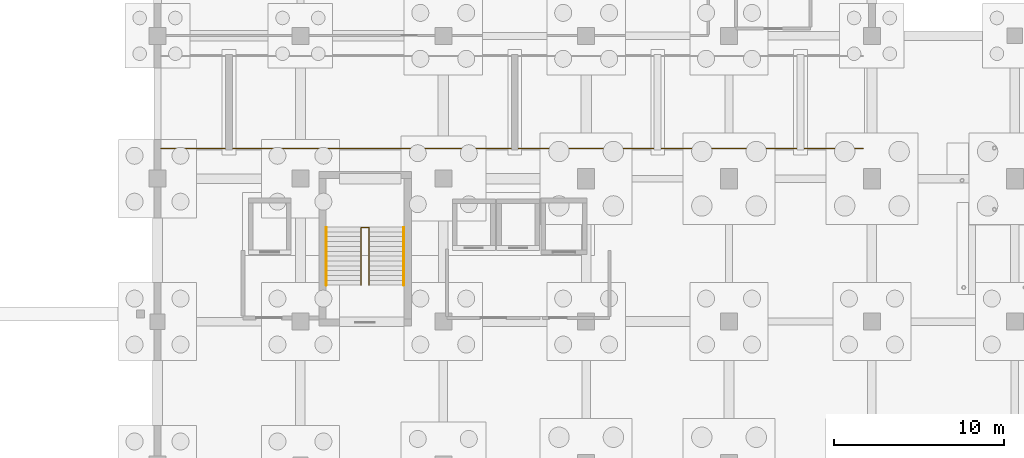
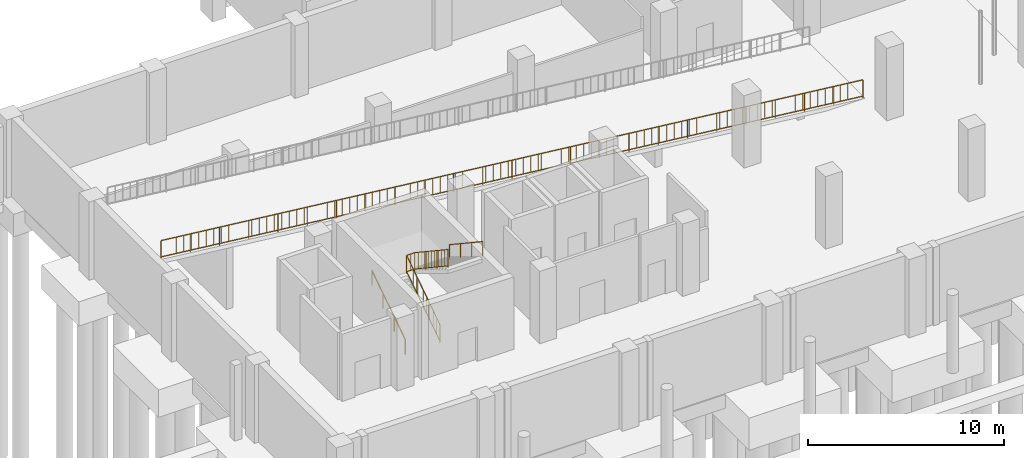
# One storey, part 37 of 39: 4 railings.
"""IFC4 building model written with IfcOpenShell, lengths in metres."""

from ifc_helpers import new_model, si_unit, derived_unit, direction, frame, origin, origin_2d, place, context, subcontext, project, spatial, circle, extrude, material, layer, layer_set, type_object, element, save


model = new_model("IFC4")

# Units and contexts
model_context = context("Model", 3, precision=1e-05, world=origin(), true_north=direction((0.0, 1.0)))
body_context = subcontext(model_context, "Body", "Model", "MODEL_VIEW")
ifc_project = project(units=[si_unit("LENGTHUNIT", "METRE"), si_unit("AREAUNIT", "SQUARE_METRE"), si_unit("VOLUMEUNIT", "CUBIC_METRE"), si_unit("PLANEANGLEUNIT", "RADIAN"), si_unit("MASSUNIT", "GRAM", prefix="KILO"), derived_unit("THERMALTRANSMITTANCEUNIT", [(si_unit("POWERUNIT", "WATT"), 1), (si_unit("LENGTHUNIT", "METRE"), -2), (si_unit("THERMODYNAMICTEMPERATUREUNIT", "KELVIN"), -1)])], contexts=[model_context])

# Site, building, storey
site_placement = place(None, origin())
site = spatial("IfcSite", under=ifc_project, at=site_placement, CompositionType="ELEMENT")
building_placement = place(site_placement, origin())
building = spatial("IfcBuilding", under=site, at=building_placement, Name="Barrovel Congress Hotel", CompositionType="ELEMENT")
storey_placement = place(building_placement, frame((0.0, 0.0, -4.5)))
storey = spatial("IfcBuildingStorey", under=building, at=storey_placement, Name="B01", CompositionType="ELEMENT", Elevation=-4.5)

# Railings
ifc_material_1 = material(Name="Painted Architectural Steel", Category="steel")
ifc_layer_1 = layer(ifc_material_1, 0.070068359375)
ifc_layer_set_1 = layer_set([ifc_layer_1], Name="Painted Architectural Steel")
railing_type_1 = type_object("IfcRailingType", Name="RAIL-GUARD-INT", PredefinedType="BALUSTRADE", material=ifc_layer_set_1)
railing_1_placement = place(storey_placement, frame((28.760009765625, 14.739990234375, 0.0)))
element("IfcRailing", 1, at=railing_1_placement, inside=storey, type_object=railing_type_1, Name="STAIR:XS-01:B01:GR-W", PredefinedType="BALUSTRADE", context=body_context, shape_type="SweptSolid", body=[
    extrude(circle(Radius=0.02392578125, at=origin_2d()), frame((0.0, 0.0, 1.11572265625), z_axis=(0.0, 0.833174834292, 0.553009670352), x_axis=(-1.0, 0.0, 0.0)), (0.0, 0.0, 1.0), 4.068603515625),
    extrude(circle(Radius=0.02392578125, at=origin_2d()), frame((0.0, 0.0, 0.10009765625), z_axis=(0.0, 0.833174834292, 0.553009670352), x_axis=(-1.0, 0.0, 0.0)), (0.0, 0.0, 1.0), 4.068603515625),
    extrude(circle(Radius=0.010009765625, at=origin_2d()), frame((0.0, 0.3388671875, 0.324951171875)), (0.0, 0.0, 1.0), 0.99169921875),
    extrude(circle(Radius=0.010009765625, at=origin_2d()), frame((0.0, 0.677978515625, 0.550048828125)), (0.0, 0.0, 1.0), 0.99169921875),
    extrude(circle(Radius=0.010009765625, at=origin_2d()), frame((0.0, 1.01708984375, 0.77490234375)), (0.0, 0.0, 1.0), 0.99169921875),
    extrude(circle(Radius=0.010009765625, at=origin_2d()), frame((0.0, 1.35595703125, 1.0)), (0.0, 0.0, 1.0), 0.99169921875),
    extrude(circle(Radius=0.010009765625, at=origin_2d()), frame((0.0, 1.69482421875, 1.22509765625)), (0.0, 0.0, 1.0), 0.99169921875),
    extrude(circle(Radius=0.010009765625, at=origin_2d()), frame((0.0, 2.033935546875, 1.449951171875)), (0.0, 0.0, 1.0), 0.99169921875),
    extrude(circle(Radius=0.010009765625, at=origin_2d()), frame((0.0, 2.373046875, 1.675048828125)), (0.0, 0.0, 1.0), 0.99169921875),
    extrude(circle(Radius=0.010009765625, at=origin_2d()), frame((0.0, 2.7119140625, 1.89990234375)), (0.0, 0.0, 1.0), 0.99169921875),
    extrude(circle(Radius=0.010009765625, at=origin_2d()), frame((0.0, 3.05078125, 2.125)), (0.0, 0.0, 1.0), 0.99169921875),
    extrude(circle(Radius=0.02392578125, at=origin_2d()), frame((0.0, 3.389892578125, 3.36572265625), z_axis=(1.0, 0.0, 0.0), x_axis=(0.0, 1.0, 0.0)), (0.0, 0.0, 1.0), 0.47998046875),
    extrude(circle(Radius=0.02392578125, at=origin_2d()), frame((0.0, 3.389892578125, 2.35009765625), z_axis=(1.0, 0.0, 0.0), x_axis=(0.0, 1.0, 0.0)), (0.0, 0.0, 1.0), 0.47998046875),
    extrude(circle(Radius=0.010009765625, at=origin_2d()), frame((0.239990234375, 3.389892578125, 2.35009765625)), (0.0, 0.0, 1.0), 0.99169921875),
    extrude(circle(Radius=0.02392578125, at=origin_2d()), frame((0.47998046875, 3.389892578125, 3.36572265625), z_axis=(0.0, -0.833174834292, 0.553009670352), x_axis=(1.0, 0.0, 0.0)), (0.0, 0.0, 1.0), 4.068603515625),
    extrude(circle(Radius=0.02392578125, at=origin_2d()), frame((0.47998046875, 3.389892578125, 2.35009765625), z_axis=(0.0, -0.833174834292, 0.553009670352), x_axis=(1.0, 0.0, 0.0)), (0.0, 0.0, 1.0), 4.068603515625),
    extrude(circle(Radius=0.010009765625, at=origin_2d()), frame((0.47998046875, 3.05078125, 2.574951171875)), (0.0, 0.0, 1.0), 0.99169921875),
    extrude(circle(Radius=0.010009765625, at=origin_2d()), frame((0.47998046875, 2.7119140625, 2.800048828125)), (0.0, 0.0, 1.0), 0.99169921875),
    extrude(circle(Radius=0.010009765625, at=origin_2d()), frame((0.47998046875, 2.373046875, 3.02490234375)), (0.0, 0.0, 1.0), 0.99169921875),
    extrude(circle(Radius=0.010009765625, at=origin_2d()), frame((0.47998046875, 2.033935546875, 3.25)), (0.0, 0.0, 1.0), 0.99169921875),
    extrude(circle(Radius=0.010009765625, at=origin_2d()), frame((0.47998046875, 1.69482421875, 3.47509765625)), (0.0, 0.0, 1.0), 0.99169921875),
    extrude(circle(Radius=0.010009765625, at=origin_2d()), frame((0.47998046875, 1.35595703125, 3.699951171875)), (0.0, 0.0, 1.0), 0.99169921875),
    extrude(circle(Radius=0.010009765625, at=origin_2d()), frame((0.47998046875, 1.01708984375, 3.925048828125)), (0.0, 0.0, 1.0), 0.99169921875),
    extrude(circle(Radius=0.010009765625, at=origin_2d()), frame((0.47998046875, 0.677978515625, 4.14990234375)), (0.0, 0.0, 1.0), 0.99169921875),
    extrude(circle(Radius=0.010009765625, at=origin_2d()), frame((0.47998046875, 0.3388671875, 4.375)), (0.0, 0.0, 1.0), 0.99169921875),
    extrude(circle(Radius=0.02099609375, at=origin_2d()), origin(), (0.0, 0.0, 1.0), 1.091796875),
    extrude(circle(Radius=0.02099609375, at=origin_2d()), frame((0.0, 1.1298828125, 0.75)), (0.0, 0.0, 1.0), 1.091796875),
    extrude(circle(Radius=0.02099609375, at=origin_2d()), frame((0.0, 2.260009765625, 1.5)), (0.0, 0.0, 1.0), 1.091796875),
    extrude(circle(Radius=0.02099609375, at=origin_2d()), frame((0.0, 3.389892578125, 2.25)), (0.0, 0.0, 1.0), 1.091796875),
    extrude(circle(Radius=0.02099609375, at=origin_2d()), frame((0.47998046875, 3.389892578125, 2.25)), (0.0, 0.0, 1.0), 1.091796875),
    extrude(circle(Radius=0.02099609375, at=origin_2d()), frame((0.47998046875, 2.260009765625, 3.0)), (0.0, 0.0, 1.0), 1.091796875),
    extrude(circle(Radius=0.02099609375, at=origin_2d()), frame((0.47998046875, 1.1298828125, 3.75)), (0.0, 0.0, 1.0), 1.091796875),
    extrude(circle(Radius=0.02099609375, at=origin_2d()), frame((0.47998046875, 0.0, 4.5)), (0.0, 0.0, 1.0), 1.091796875),
])
railing_2_placement = place(storey_placement, frame((58.280029296875, 22.780029296875, 0.007568359375)))
element("IfcRailing", 2, at=railing_2_placement, inside=storey, type_object=railing_type_1, Name="RAIL:B01:R01-S", PredefinedType="BALUSTRADE", context=body_context, shape_type="SweptSolid", body=[
    extrude(circle(Radius=0.02392578125, at=origin_2d()), frame((0.0, 0.0, 1.11572265625), z_axis=(-0.994227917006, 0.0, 0.107288624958), x_axis=(0.0, -1.0, 0.0)), (0.0, 0.0, 1.0), 41.519775390625),
    extrude(circle(Radius=0.02392578125, at=origin_2d()), frame((0.0, 0.0, 0.10009765625), z_axis=(-0.994227917006, 0.0, 0.107288624958), x_axis=(0.0, -1.0, 0.0)), (0.0, 0.0, 1.0), 41.519775390625),
    extrude(circle(Radius=0.010009765625, at=origin_2d()), frame((-0.44384765625, 0.0, 0.14794921875)), (0.0, 0.0, 1.0), 0.99169921875),
    extrude(circle(Radius=0.010009765625, at=origin_2d()), frame((-0.8876953125, 0.0, 0.19580078125)), (0.0, 0.0, 1.0), 0.99169921875),
    extrude(circle(Radius=0.010009765625, at=origin_2d()), frame((-1.33154296875, 0.0, 0.24365234375)), (0.0, 0.0, 1.0), 0.99169921875),
    extrude(circle(Radius=0.010009765625, at=origin_2d()), frame((-1.775390625, 0.0, 0.29150390625)), (0.0, 0.0, 1.0), 0.99169921875),
    extrude(circle(Radius=0.010009765625, at=origin_2d()), frame((-2.21923828125, 0.0, 0.339599609375)), (0.0, 0.0, 1.0), 0.99169921875),
    extrude(circle(Radius=0.010009765625, at=origin_2d()), frame((-2.663330078125, 0.0, 0.387451171875)), (0.0, 0.0, 1.0), 0.99169921875),
    extrude(circle(Radius=0.010009765625, at=origin_2d()), frame((-3.107177734375, 0.0, 0.435302734375)), (0.0, 0.0, 1.0), 0.99169921875),
    extrude(circle(Radius=0.010009765625, at=origin_2d()), frame((-3.551025390625, 0.0, 0.483154296875)), (0.0, 0.0, 1.0), 0.99169921875),
    extrude(circle(Radius=0.010009765625, at=origin_2d()), frame((-3.994873046875, 0.0, 0.531005859375)), (0.0, 0.0, 1.0), 0.99169921875),
    extrude(circle(Radius=0.010009765625, at=origin_2d()), frame((-4.438720703125, 0.0, 0.5791015625)), (0.0, 0.0, 1.0), 0.99169921875),
    extrude(circle(Radius=0.010009765625, at=origin_2d()), frame((-4.882568359375, 0.0, 0.626953125)), (0.0, 0.0, 1.0), 0.99169921875),
    extrude(circle(Radius=0.010009765625, at=origin_2d()), frame((-5.326416015625, 0.0, 0.6748046875)), (0.0, 0.0, 1.0), 0.99169921875),
    extrude(circle(Radius=0.010009765625, at=origin_2d()), frame((-5.770263671875, 0.0, 0.72265625)), (0.0, 0.0, 1.0), 0.99169921875),
    extrude(circle(Radius=0.010009765625, at=origin_2d()), frame((-6.214111328125, 0.0, 0.7705078125)), (0.0, 0.0, 1.0), 0.99169921875),
    extrude(circle(Radius=0.010009765625, at=origin_2d()), frame((-6.657958984375, 0.0, 0.818603515625)), (0.0, 0.0, 1.0), 0.99169921875),
    extrude(circle(Radius=0.010009765625, at=origin_2d()), frame((-7.10205078125, 0.0, 0.866455078125)), (0.0, 0.0, 1.0), 0.99169921875),
    extrude(circle(Radius=0.010009765625, at=origin_2d()), frame((-7.5458984375, 0.0, 0.914306640625)), (0.0, 0.0, 1.0), 0.99169921875),
    extrude(circle(Radius=0.010009765625, at=origin_2d()), frame((-7.98974609375, 0.0, 0.962158203125)), (0.0, 0.0, 1.0), 0.99169921875),
    extrude(circle(Radius=0.010009765625, at=origin_2d()), frame((-8.43359375, 0.0, 1.010009765625)), (0.0, 0.0, 1.0), 0.99169921875),
    extrude(circle(Radius=0.010009765625, at=origin_2d()), frame((-8.87744140625, 0.0, 1.057861328125)), (0.0, 0.0, 1.0), 0.99169921875),
    extrude(circle(Radius=0.010009765625, at=origin_2d()), frame((-9.3212890625, 0.0, 1.10595703125)), (0.0, 0.0, 1.0), 0.99169921875),
    extrude(circle(Radius=0.010009765625, at=origin_2d()), frame((-9.76513671875, 0.0, 1.15380859375)), (0.0, 0.0, 1.0), 0.99169921875),
    extrude(circle(Radius=0.010009765625, at=origin_2d()), frame((-10.208984375, 0.0, 1.20166015625)), (0.0, 0.0, 1.0), 0.99169921875),
    extrude(circle(Radius=0.010009765625, at=origin_2d()), frame((-10.65283203125, 0.0, 1.24951171875)), (0.0, 0.0, 1.0), 0.99169921875),
    extrude(circle(Radius=0.010009765625, at=origin_2d()), frame((-11.0966796875, 0.0, 1.29736328125)), (0.0, 0.0, 1.0), 0.99169921875),
    extrude(circle(Radius=0.010009765625, at=origin_2d()), frame((-11.540771484375, 0.0, 1.345458984375)), (0.0, 0.0, 1.0), 0.99169921875),
    extrude(circle(Radius=0.010009765625, at=origin_2d()), frame((-11.984619140625, 0.0, 1.393310546875)), (0.0, 0.0, 1.0), 0.99169921875),
    extrude(circle(Radius=0.010009765625, at=origin_2d()), frame((-12.428466796875, 0.0, 1.441162109375)), (0.0, 0.0, 1.0), 0.99169921875),
    extrude(circle(Radius=0.010009765625, at=origin_2d()), frame((-12.872314453125, 0.0, 1.489013671875)), (0.0, 0.0, 1.0), 0.99169921875),
    extrude(circle(Radius=0.010009765625, at=origin_2d()), frame((-13.316162109375, 0.0, 1.536865234375)), (0.0, 0.0, 1.0), 0.99169921875),
    extrude(circle(Radius=0.010009765625, at=origin_2d()), frame((-13.760009765625, 0.0, 1.5849609375)), (0.0, 0.0, 1.0), 0.99169921875),
    extrude(circle(Radius=0.010009765625, at=origin_2d()), frame((-14.203857421875, 0.0, 1.6328125)), (0.0, 0.0, 1.0), 0.99169921875),
    extrude(circle(Radius=0.010009765625, at=origin_2d()), frame((-14.647705078125, 0.0, 1.6806640625)), (0.0, 0.0, 1.0), 0.99169921875),
    extrude(circle(Radius=0.010009765625, at=origin_2d()), frame((-15.091552734375, 0.0, 1.728515625)), (0.0, 0.0, 1.0), 0.99169921875),
    extrude(circle(Radius=0.010009765625, at=origin_2d()), frame((-15.535400390625, 0.0, 1.7763671875)), (0.0, 0.0, 1.0), 0.99169921875),
    extrude(circle(Radius=0.010009765625, at=origin_2d()), frame((-15.979248046875, 0.0, 1.824462890625)), (0.0, 0.0, 1.0), 0.99169921875),
    extrude(circle(Radius=0.010009765625, at=origin_2d()), frame((-16.42333984375, 0.0, 1.872314453125)), (0.0, 0.0, 1.0), 0.99169921875),
    extrude(circle(Radius=0.010009765625, at=origin_2d()), frame((-16.8671875, 0.0, 1.920166015625)), (0.0, 0.0, 1.0), 0.99169921875),
    extrude(circle(Radius=0.010009765625, at=origin_2d()), frame((-17.31103515625, 0.0, 1.968017578125)), (0.0, 0.0, 1.0), 0.99169921875),
    extrude(circle(Radius=0.010009765625, at=origin_2d()), frame((-17.7548828125, 0.0, 2.015869140625)), (0.0, 0.0, 1.0), 0.99169921875),
    extrude(circle(Radius=0.010009765625, at=origin_2d()), frame((-18.19873046875, 0.0, 2.06396484375)), (0.0, 0.0, 1.0), 0.99169921875),
    extrude(circle(Radius=0.010009765625, at=origin_2d()), frame((-18.642578125, 0.0, 2.11181640625)), (0.0, 0.0, 1.0), 0.99169921875),
    extrude(circle(Radius=0.010009765625, at=origin_2d()), frame((-19.08642578125, 0.0, 2.15966796875)), (0.0, 0.0, 1.0), 0.99169921875),
    extrude(circle(Radius=0.010009765625, at=origin_2d()), frame((-19.5302734375, 0.0, 2.20751953125)), (0.0, 0.0, 1.0), 0.99169921875),
    extrude(circle(Radius=0.010009765625, at=origin_2d()), frame((-19.97412109375, 0.0, 2.25537109375)), (0.0, 0.0, 1.0), 0.99169921875),
    extrude(circle(Radius=0.010009765625, at=origin_2d()), frame((-20.41796875, 0.0, 2.303466796875)), (0.0, 0.0, 1.0), 0.99169921875),
    extrude(circle(Radius=0.010009765625, at=origin_2d()), frame((-20.862060546875, 0.0, 2.351318359375)), (0.0, 0.0, 1.0), 0.99169921875),
    extrude(circle(Radius=0.010009765625, at=origin_2d()), frame((-21.305908203125, 0.0, 2.399169921875)), (0.0, 0.0, 1.0), 0.99169921875),
    extrude(circle(Radius=0.010009765625, at=origin_2d()), frame((-21.749755859375, 0.0, 2.447021484375)), (0.0, 0.0, 1.0), 0.99169921875),
    extrude(circle(Radius=0.010009765625, at=origin_2d()), frame((-22.193603515625, 0.0, 2.494873046875)), (0.0, 0.0, 1.0), 0.99169921875),
    extrude(circle(Radius=0.010009765625, at=origin_2d()), frame((-22.637451171875, 0.0, 2.542724609375)), (0.0, 0.0, 1.0), 0.99169921875),
    extrude(circle(Radius=0.010009765625, at=origin_2d()), frame((-23.081298828125, 0.0, 2.5908203125)), (0.0, 0.0, 1.0), 0.99169921875),
    extrude(circle(Radius=0.010009765625, at=origin_2d()), frame((-23.525146484375, 0.0, 2.638671875)), (0.0, 0.0, 1.0), 0.99169921875),
    extrude(circle(Radius=0.010009765625, at=origin_2d()), frame((-23.968994140625, 0.0, 2.6865234375)), (0.0, 0.0, 1.0), 0.99169921875),
    extrude(circle(Radius=0.010009765625, at=origin_2d()), frame((-24.412841796875, 0.0, 2.734375)), (0.0, 0.0, 1.0), 0.99169921875),
    extrude(circle(Radius=0.010009765625, at=origin_2d()), frame((-24.856689453125, 0.0, 2.7822265625)), (0.0, 0.0, 1.0), 0.99169921875),
    extrude(circle(Radius=0.010009765625, at=origin_2d()), frame((-25.30078125, 0.0, 2.830322265625)), (0.0, 0.0, 1.0), 0.99169921875),
    extrude(circle(Radius=0.010009765625, at=origin_2d()), frame((-25.74462890625, 0.0, 2.878173828125)), (0.0, 0.0, 1.0), 0.99169921875),
    extrude(circle(Radius=0.010009765625, at=origin_2d()), frame((-26.1884765625, 0.0, 2.926025390625)), (0.0, 0.0, 1.0), 0.99169921875),
    extrude(circle(Radius=0.010009765625, at=origin_2d()), frame((-26.63232421875, 0.0, 2.973876953125)), (0.0, 0.0, 1.0), 0.99169921875),
    extrude(circle(Radius=0.010009765625, at=origin_2d()), frame((-27.076171875, 0.0, 3.021728515625)), (0.0, 0.0, 1.0), 0.99169921875),
    extrude(circle(Radius=0.010009765625, at=origin_2d()), frame((-27.52001953125, 0.0, 3.06982421875)), (0.0, 0.0, 1.0), 0.99169921875),
    extrude(circle(Radius=0.010009765625, at=origin_2d()), frame((-27.9638671875, 0.0, 3.11767578125)), (0.0, 0.0, 1.0), 0.99169921875),
    extrude(circle(Radius=0.010009765625, at=origin_2d()), frame((-28.40771484375, 0.0, 3.16552734375)), (0.0, 0.0, 1.0), 0.99169921875),
    extrude(circle(Radius=0.010009765625, at=origin_2d()), frame((-28.8515625, 0.0, 3.21337890625)), (0.0, 0.0, 1.0), 0.99169921875),
    extrude(circle(Radius=0.010009765625, at=origin_2d()), frame((-29.29541015625, 0.0, 3.26123046875)), (0.0, 0.0, 1.0), 0.99169921875),
    extrude(circle(Radius=0.010009765625, at=origin_2d()), frame((-29.7392578125, 0.0, 3.309326171875)), (0.0, 0.0, 1.0), 0.99169921875),
    extrude(circle(Radius=0.010009765625, at=origin_2d()), frame((-30.183349609375, 0.0, 3.357177734375)), (0.0, 0.0, 1.0), 0.99169921875),
    extrude(circle(Radius=0.010009765625, at=origin_2d()), frame((-30.627197265625, 0.0, 3.405029296875)), (0.0, 0.0, 1.0), 0.99169921875),
    extrude(circle(Radius=0.010009765625, at=origin_2d()), frame((-31.071044921875, 0.0, 3.452880859375)), (0.0, 0.0, 1.0), 0.99169921875),
    extrude(circle(Radius=0.010009765625, at=origin_2d()), frame((-31.514892578125, 0.0, 3.500732421875)), (0.0, 0.0, 1.0), 0.99169921875),
    extrude(circle(Radius=0.010009765625, at=origin_2d()), frame((-31.958740234375, 0.0, 3.548828125)), (0.0, 0.0, 1.0), 0.99169921875),
    extrude(circle(Radius=0.010009765625, at=origin_2d()), frame((-32.402587890625, 0.0, 3.5966796875)), (0.0, 0.0, 1.0), 0.99169921875),
    extrude(circle(Radius=0.010009765625, at=origin_2d()), frame((-32.846435546875, 0.0, 3.64453125)), (0.0, 0.0, 1.0), 0.99169921875),
    extrude(circle(Radius=0.010009765625, at=origin_2d()), frame((-33.290283203125, 0.0, 3.6923828125)), (0.0, 0.0, 1.0), 0.99169921875),
    extrude(circle(Radius=0.010009765625, at=origin_2d()), frame((-33.734130859375, 0.0, 3.740234375)), (0.0, 0.0, 1.0), 0.99169921875),
    extrude(circle(Radius=0.010009765625, at=origin_2d()), frame((-34.177978515625, 0.0, 3.788330078125)), (0.0, 0.0, 1.0), 0.99169921875),
    extrude(circle(Radius=0.010009765625, at=origin_2d()), frame((-34.6220703125, 0.0, 3.836181640625)), (0.0, 0.0, 1.0), 0.99169921875),
    extrude(circle(Radius=0.010009765625, at=origin_2d()), frame((-35.06591796875, 0.0, 3.884033203125)), (0.0, 0.0, 1.0), 0.99169921875),
    extrude(circle(Radius=0.010009765625, at=origin_2d()), frame((-35.509765625, 0.0, 3.931884765625)), (0.0, 0.0, 1.0), 0.99169921875),
    extrude(circle(Radius=0.010009765625, at=origin_2d()), frame((-35.95361328125, 0.0, 3.979736328125)), (0.0, 0.0, 1.0), 0.99169921875),
    extrude(circle(Radius=0.010009765625, at=origin_2d()), frame((-36.3974609375, 0.0, 4.027587890625)), (0.0, 0.0, 1.0), 0.99169921875),
    extrude(circle(Radius=0.010009765625, at=origin_2d()), frame((-36.84130859375, 0.0, 4.07568359375)), (0.0, 0.0, 1.0), 0.99169921875),
    extrude(circle(Radius=0.010009765625, at=origin_2d()), frame((-37.28515625, 0.0, 4.12353515625)), (0.0, 0.0, 1.0), 0.99169921875),
    extrude(circle(Radius=0.010009765625, at=origin_2d()), frame((-37.72900390625, 0.0, 4.17138671875)), (0.0, 0.0, 1.0), 0.99169921875),
    extrude(circle(Radius=0.010009765625, at=origin_2d()), frame((-38.1728515625, 0.0, 4.21923828125)), (0.0, 0.0, 1.0), 0.99169921875),
    extrude(circle(Radius=0.010009765625, at=origin_2d()), frame((-38.61669921875, 0.0, 4.26708984375)), (0.0, 0.0, 1.0), 0.99169921875),
    extrude(circle(Radius=0.010009765625, at=origin_2d()), frame((-39.060791015625, 0.0, 4.315185546875)), (0.0, 0.0, 1.0), 0.99169921875),
    extrude(circle(Radius=0.010009765625, at=origin_2d()), frame((-39.504638671875, 0.0, 4.363037109375)), (0.0, 0.0, 1.0), 0.99169921875),
    extrude(circle(Radius=0.010009765625, at=origin_2d()), frame((-39.948486328125, 0.0, 4.410888671875)), (0.0, 0.0, 1.0), 0.99169921875),
    extrude(circle(Radius=0.010009765625, at=origin_2d()), frame((-40.392333984375, 0.0, 4.458740234375)), (0.0, 0.0, 1.0), 0.99169921875),
    extrude(circle(Radius=0.010009765625, at=origin_2d()), frame((-40.836181640625, 0.0, 4.506591796875)), (0.0, 0.0, 1.0), 0.99169921875),
    extrude(circle(Radius=0.02099609375, at=origin_2d()), origin(), (0.0, 0.0, 1.0), 1.091796875),
    extrude(circle(Radius=0.02099609375, at=origin_2d()), frame((-1.719970703125, 0.0, 0.185546875)), (0.0, 0.0, 1.0), 1.091796875),
    extrude(circle(Radius=0.02099609375, at=origin_2d()), frame((-3.43994140625, 0.0, 0.37109375)), (0.0, 0.0, 1.0), 1.091796875),
    extrude(circle(Radius=0.02099609375, at=origin_2d()), frame((-5.159912109375, 0.0, 0.556884765625)), (0.0, 0.0, 1.0), 1.091796875),
    extrude(circle(Radius=0.02099609375, at=origin_2d()), frame((-6.8798828125, 0.0, 0.742431640625)), (0.0, 0.0, 1.0), 1.091796875),
    extrude(circle(Radius=0.02099609375, at=origin_2d()), frame((-8.60009765625, 0.0, 0.927978515625)), (0.0, 0.0, 1.0), 1.091796875),
    extrude(circle(Radius=0.02099609375, at=origin_2d()), frame((-10.320068359375, 0.0, 1.11376953125)), (0.0, 0.0, 1.0), 1.091796875),
    extrude(circle(Radius=0.02099609375, at=origin_2d()), frame((-12.0400390625, 0.0, 1.29931640625)), (0.0, 0.0, 1.0), 1.091796875),
    extrude(circle(Radius=0.02099609375, at=origin_2d()), frame((-13.760009765625, 0.0, 1.48486328125)), (0.0, 0.0, 1.0), 1.091796875),
    extrude(circle(Radius=0.02099609375, at=origin_2d()), frame((-15.47998046875, 0.0, 1.67041015625)), (0.0, 0.0, 1.0), 1.091796875),
    extrude(circle(Radius=0.02099609375, at=origin_2d()), frame((-17.199951171875, 0.0, 1.85595703125)), (0.0, 0.0, 1.0), 1.091796875),
    extrude(circle(Radius=0.02099609375, at=origin_2d()), frame((-18.919921875, 0.0, 2.041748046875)), (0.0, 0.0, 1.0), 1.091796875),
    extrude(circle(Radius=0.02099609375, at=origin_2d()), frame((-20.64013671875, 0.0, 2.227294921875)), (0.0, 0.0, 1.0), 1.091796875),
    extrude(circle(Radius=0.02099609375, at=origin_2d()), frame((-22.360107421875, 0.0, 2.412841796875)), (0.0, 0.0, 1.0), 1.091796875),
    extrude(circle(Radius=0.02099609375, at=origin_2d()), frame((-24.080078125, 0.0, 2.5986328125)), (0.0, 0.0, 1.0), 1.091796875),
    extrude(circle(Radius=0.02099609375, at=origin_2d()), frame((-25.800048828125, 0.0, 2.7841796875)), (0.0, 0.0, 1.0), 1.091796875),
    extrude(circle(Radius=0.02099609375, at=origin_2d()), frame((-27.52001953125, 0.0, 2.9697265625)), (0.0, 0.0, 1.0), 1.091796875),
    extrude(circle(Radius=0.02099609375, at=origin_2d()), frame((-29.239990234375, 0.0, 3.1552734375)), (0.0, 0.0, 1.0), 1.091796875),
    extrude(circle(Radius=0.02099609375, at=origin_2d()), frame((-30.9599609375, 0.0, 3.3408203125)), (0.0, 0.0, 1.0), 1.091796875),
    extrude(circle(Radius=0.02099609375, at=origin_2d()), frame((-32.679931640625, 0.0, 3.526611328125)), (0.0, 0.0, 1.0), 1.091796875),
    extrude(circle(Radius=0.02099609375, at=origin_2d()), frame((-34.39990234375, 0.0, 3.712158203125)), (0.0, 0.0, 1.0), 1.091796875),
    extrude(circle(Radius=0.02099609375, at=origin_2d()), frame((-36.1201171875, 0.0, 3.897705078125)), (0.0, 0.0, 1.0), 1.091796875),
    extrude(circle(Radius=0.02099609375, at=origin_2d()), frame((-37.840087890625, 0.0, 4.08349609375)), (0.0, 0.0, 1.0), 1.091796875),
    extrude(circle(Radius=0.02099609375, at=origin_2d()), frame((-39.56005859375, 0.0, 4.26904296875)), (0.0, 0.0, 1.0), 1.091796875),
    extrude(circle(Radius=0.02099609375, at=origin_2d()), frame((-41.280029296875, 0.0, 4.45458984375)), (0.0, 0.0, 1.0), 1.091796875),
])
ifc_material_2 = material(Name="Brushed Stainless Steel", Category="steel")
ifc_layer_2 = layer(ifc_material_2, 0.050048828125)
ifc_layer_set_2 = layer_set([ifc_layer_2], Name="Brushed Stainless Steel")
railing_type_2 = type_object("IfcRailingType", Name="RAIL-HAND", PredefinedType="HANDRAIL", material=ifc_layer_set_2)
railing_3_placement = place(storey_placement, frame((26.719970703125, 14.739990234375, 0.0)))
element("IfcRailing", 3, at=railing_3_placement, inside=storey, type_object=railing_type_2, Name="STAIR:XS-01:B01:HR-1", PredefinedType="HANDRAIL", context=body_context, shape_type="SweptSolid", body=[
    extrude(circle(Radius=0.02392578125, at=origin_2d()), frame((0.0, 0.0, 0.89599609375), z_axis=(0.0, 0.833174834292, 0.553009670352), x_axis=(-1.0, 0.0, 0.0)), (0.0, 0.0, 1.0), 4.068603515625),
    extrude(circle(Radius=0.02099609375, at=origin_2d()), origin(), (0.0, 0.0, 1.0), 0.871826171875),
    extrude(circle(Radius=0.02099609375, at=origin_2d()), frame((0.0, 1.1298828125, 0.75)), (0.0, 0.0, 1.0), 0.871826171875),
    extrude(circle(Radius=0.02099609375, at=origin_2d()), frame((0.0, 2.260009765625, 1.5)), (0.0, 0.0, 1.0), 0.871826171875),
    extrude(circle(Radius=0.02099609375, at=origin_2d()), frame((0.0, 3.389892578125, 2.25)), (0.0, 0.0, 1.0), 0.871826171875),
])
railing_4_placement = place(storey_placement, frame((31.280029296875, 18.1298828125, 2.25)))
element("IfcRailing", 4, at=railing_4_placement, inside=storey, type_object=railing_type_2, Name="STAIR:XS-01:B01:HR-2", PredefinedType="HANDRAIL", context=body_context, shape_type="SweptSolid", body=[
    extrude(circle(Radius=0.02392578125, at=origin_2d()), frame((0.0, 0.0, 0.89599609375), z_axis=(0.0, -0.833174834292, 0.553009670352), x_axis=(1.0, 0.0, 0.0)), (0.0, 0.0, 1.0), 4.068603515625),
    extrude(circle(Radius=0.02099609375, at=origin_2d()), origin(), (0.0, 0.0, 1.0), 0.871826171875),
    extrude(circle(Radius=0.02099609375, at=origin_2d()), frame((0.0, -1.1298828125, 0.75)), (0.0, 0.0, 1.0), 0.871826171875),
    extrude(circle(Radius=0.02099609375, at=origin_2d()), frame((0.0, -2.260009765625, 1.5)), (0.0, 0.0, 1.0), 0.871826171875),
    extrude(circle(Radius=0.02099609375, at=origin_2d()), frame((0.0, -3.389892578125, 2.25)), (0.0, 0.0, 1.0), 0.871826171875),
])

save(model, "model.ifc")
